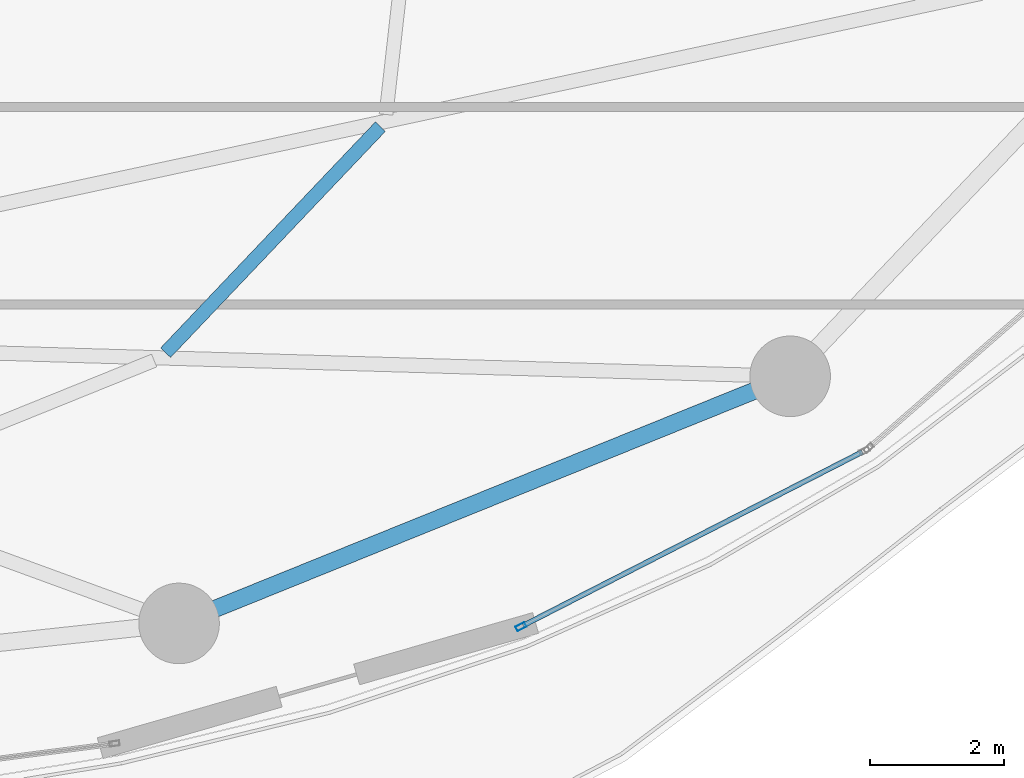
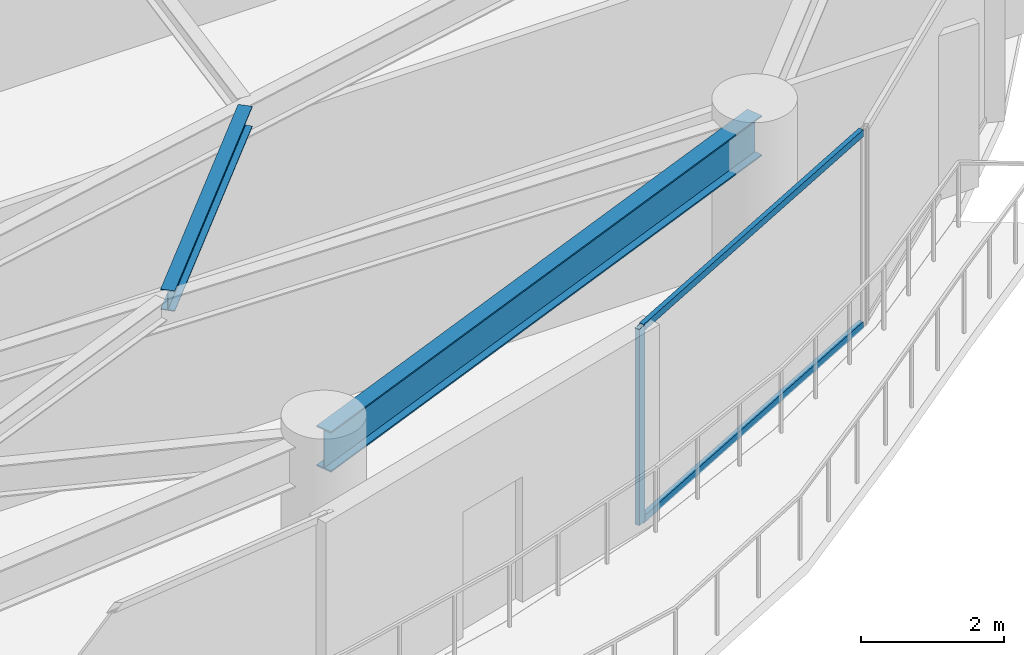
# One storey, part 11 of 28: 3 members, 2 beams, 1 element without a shape of its own.
"""IFC4 building model written with IfcOpenShell, lengths in metres."""

import ifcopenshell
import ifcopenshell.guid

model = None  # the IFC model being written
_history = None  # IfcOwnerHistory: only IFC2X3 demands one
_inside = {}  # id of a spatial element -> (the spatial element, [elements in it])
_under = {}  # id of a project, library or spatial element -> (it, [spatial elements below it])
_declared = {}  # id of a project -> (the project, [libraries it declares])
_typed = {}  # id of a type object -> (the type object, [elements of that type])
_made_of = {}  # id of a material, layer set ... -> (it, [elements and type objects made of it])


def new_model(schema):
    """Start an empty IFC model of exactly this schema.

    Asked for "IFC4X3", IfcOpenShell would pick the latest addendum, in which some entities
    have other attributes; the version numbers below select the first issue.
    IFC2X3 requires an IfcOwnerHistory on every rooted entity: one is made here for all.
    """
    global model, _history
    if schema == "IFC4X3":
        model = ifcopenshell.file(schema_version=(4, 3, 0, 0))
    else:
        model = ifcopenshell.file(schema=schema)
    _inside.clear()
    _under.clear()
    _declared.clear()
    _typed.clear()
    _made_of.clear()
    _history = None
    if model.schema == "IFC2X3":
        org = make("IfcOrganization", Name="unknown")
        user = make(
            "IfcPersonAndOrganization",
            ThePerson=make("IfcPerson", FamilyName="unknown"),
            TheOrganization=org,
        )
        app = make(
            "IfcApplication",
            ApplicationDeveloper=org,
            Version="unknown",
            ApplicationFullName="unknown",
            ApplicationIdentifier="unknown",
        )
        _history = make(
            "IfcOwnerHistory",
            OwningUser=user,
            OwningApplication=app,
            ChangeAction="ADDED",
            CreationDate=0,
        )
    return model


def make(cls, **values):
    """One entity of the class cls with the attributes given. An attribute that is None is left unset."""
    return model.create_entity(
        cls, **{name: value for name, value in values.items() if value is not None}
    )


def rooted(cls, **values):
    """An entity with a GlobalId (a new one), such as an element, a storey or a relation."""
    return make(cls, GlobalId=ifcopenshell.guid.new(), OwnerHistory=_history, **values)


def si_unit(unit_type, name, prefix=None):
    """IfcSIUnit, for example si_unit("LENGTHUNIT", "METRE", prefix="MILLI")."""
    return make("IfcSIUnit", UnitType=unit_type, Prefix=prefix, Name=name)


def assignment(units):
    """IfcUnitAssignment: the units of a project."""
    return None if units is None else make("IfcUnitAssignment", Units=units)


def point(xyz):
    """IfcCartesianPoint."""
    return None if xyz is None else make("IfcCartesianPoint", Coordinates=xyz)


def direction(xyz):
    """IfcDirection."""
    return None if xyz is None else make("IfcDirection", DirectionRatios=xyz)


def frame(location, z_axis=None, x_axis=None):
    """IfcAxis2Placement3D, a coordinate frame: its origin and axes. An axis left out is left unset."""
    return make(
        "IfcAxis2Placement3D",
        Location=point(location),
        Axis=direction(z_axis),
        RefDirection=direction(x_axis),
    )


def frame_2d(location, x_axis=None):
    """IfcAxis2Placement2D, a coordinate frame in the plane: its origin and x axis."""
    return make(
        "IfcAxis2Placement2D", Location=point(location), RefDirection=direction(x_axis)
    )


def origin():
    """The frame at (0, 0, 0) with its axes left unset."""
    return frame((0.0, 0.0, 0.0))


def origin_2d():
    """The frame at (0, 0) in the plane with its x axis left unset."""
    return frame_2d((0.0, 0.0))


def place(relative_to, where):
    """IfcLocalPlacement: puts the frame where relative to a parent placement (None: the world)."""
    return make(
        "IfcLocalPlacement", PlacementRelTo=relative_to, RelativePlacement=where
    )


def context(
    kind, dimensions, precision=None, world=None, true_north=None, identifier=None
):
    """IfcGeometricRepresentationContext, for example the 3D "Model" context."""
    return make(
        "IfcGeometricRepresentationContext",
        ContextIdentifier=identifier,
        ContextType=kind,
        CoordinateSpaceDimension=dimensions,
        Precision=precision,
        WorldCoordinateSystem=world,
        TrueNorth=true_north,
    )


def subcontext(parent, identifier, kind, view, scale=None):
    """IfcGeometricRepresentationSubContext, for example "Body" below "Model"."""
    return make(
        "IfcGeometricRepresentationSubContext",
        ContextIdentifier=identifier,
        ContextType=kind,
        ParentContext=parent,
        TargetScale=scale,
        TargetView=view,
    )


def project(units=None, contexts=None):
    """IfcProject with its units and contexts."""
    return rooted(
        "IfcProject",
        Name="project",
        RepresentationContexts=contexts,
        UnitsInContext=assignment(units),
    )


def spatial(cls, under=None, at=None, **own):
    """A site, building, storey or space (cls), placed at a placement, below another one or the project."""
    s = rooted(cls, ObjectPlacement=at, **own)
    if under is not None:
        _under.setdefault(under.id(), (under, []))[1].append(s)
    return s


def profile(cls, at=None, kind="AREA", **sizes):
    """A parametric profile (cls). Its sizes go by their IFC names, for example OverallWidth=200.0."""
    return make(cls, ProfileType=kind, Position=at, **sizes)


def hollow_rectangle(**sizes):
    """IfcRectangleHollowProfileDef."""
    return profile("IfcRectangleHollowProfileDef", **sizes)


def i_section(**sizes):
    """IfcIShapeProfileDef."""
    return profile("IfcIShapeProfileDef", **sizes)


def extrude(swept, where, along, depth):
    """IfcExtrudedAreaSolid: the profile swept, set in the frame where, extruded along a direction by depth."""
    return make(
        "IfcExtrudedAreaSolid",
        SweptArea=swept,
        Position=where,
        ExtrudedDirection=direction(along),
        Depth=depth,
    )


def shape(context_of_items, identifier, shape_type, items):
    """IfcShapeRepresentation: the items that make up one representation, for example the "Body"."""
    return make(
        "IfcShapeRepresentation",
        ContextOfItems=context_of_items,
        RepresentationIdentifier=identifier,
        RepresentationType=shape_type,
        Items=items,
    )


def material(Name=None, Category=None):
    """IfcMaterial."""
    return make("IfcMaterial", Name=Name, Category=Category)


def layer(
    of_material, thickness, ventilated=None, Name=None, Category=None, Priority=None
):
    """IfcMaterialLayer: one layer of a wall or slab, of a material (None: an air gap)."""
    return make(
        "IfcMaterialLayer",
        Material=of_material,
        LayerThickness=thickness,
        IsVentilated=ventilated,
        Name=Name,
        Category=Category,
        Priority=Priority,
    )


def layer_set(layers, Name=None):
    """IfcMaterialLayerSet."""
    return make("IfcMaterialLayerSet", MaterialLayers=layers, LayerSetName=Name)


def material_profile(
    of_material, cross_section, Name=None, Category=None, Priority=None
):
    """IfcMaterialProfile: a cross section and its material."""
    return make(
        "IfcMaterialProfile",
        Name=Name,
        Material=of_material,
        Profile=cross_section,
        Priority=Priority,
        Category=Category,
    )


def profile_set(profiles, Name=None, composite=None):
    """IfcMaterialProfileSet."""
    return make(
        "IfcMaterialProfileSet",
        Name=Name,
        MaterialProfiles=profiles,
        CompositeProfile=composite,
    )


def made_of(thing, what):
    """Note that an element or type object is made of a material, layer set ...; save() writes the relation."""
    if what is not None:
        _made_of.setdefault(what.id(), (what, []))[1].append(thing)
    return thing


def type_object(cls, material=None, **own):
    """A type object (cls), such as IfcWallType, which elements share."""
    return made_of(rooted(cls, **own), material)


def element(
    cls,
    number,
    at=None,
    inside=None,
    cuts=None,
    type_object=None,
    material=None,
    context=None,
    identifier="Body",
    shape_type=None,
    held_by="IfcProductDefinitionShape",
    body=None,
    shapes=None,
    **own,
):
    """One element of the class cls, such as IfcWall. Its Tag is "e" and its number.

    at: its placement. inside: the storey or other place that contains it. cuts: it is an
    opening in that element (IfcRelVoidsElement). A single representation is given by context,
    identifier, shape_type and body (its items); several are given by shapes. held_by: the class
    of the entity that holds the representations. save() writes the other relations.
    """
    e = rooted(cls, Tag="e%d" % number, ObjectPlacement=at, **own)
    if body is not None:
        shapes = [shape(context, identifier, shape_type, body)]
    if shapes is not None:
        e.Representation = make(held_by, Representations=shapes)
    if inside is not None:
        _inside.setdefault(inside.id(), (inside, []))[1].append(e)
    if cuts is not None:
        rooted(
            "IfcRelVoidsElement", RelatingBuildingElement=cuts, RelatedOpeningElement=e
        )
    if type_object is not None:
        _typed.setdefault(type_object.id(), (type_object, []))[1].append(e)
    return made_of(e, material)


def aggregate(whole, parts):
    """IfcRelAggregates: a whole, such as a stair, and the parts it consists of."""
    return rooted("IfcRelAggregates", RelatingObject=whole, RelatedObjects=parts)


def save(model, path):
    """Write the relations noted so far, then the file.

    IfcRelAggregates (storeys below a building ...), IfcRelContainedInSpatialStructure (elements
    in a storey), IfcRelDefinesByType, IfcRelAssociatesMaterial and IfcRelDeclares: one each for
    every whole, place, type object, material and project.
    """
    for whole, parts in _under.values():
        aggregate(whole, parts)
    for where, things in _inside.values():
        rooted(
            "IfcRelContainedInSpatialStructure",
            RelatedElements=things,
            RelatingStructure=where,
        )
    for kind, things in _typed.values():
        rooted("IfcRelDefinesByType", RelatedObjects=things, RelatingType=kind)
    for what, things in _made_of.values():
        rooted("IfcRelAssociatesMaterial", RelatedObjects=things, RelatingMaterial=what)
    for by, libraries in _declared.values():
        rooted("IfcRelDeclares", RelatingContext=by, RelatedDefinitions=libraries)
    model.write(path)


model = new_model("IFC4")

# Units and contexts
model_context = context("Model", 3, precision=1e-05, world=origin(), true_north=direction((0.0, 1.0)))
body_context = subcontext(model_context, "Body", "Model", "MODEL_VIEW")
ifc_project = project(units=[si_unit("LENGTHUNIT", "METRE"), si_unit("AREAUNIT", "SQUARE_METRE"), si_unit("VOLUMEUNIT", "CUBIC_METRE"), si_unit("PLANEANGLEUNIT", "RADIAN"), si_unit("MASSUNIT", "GRAM", prefix="KILO")], contexts=[model_context])

# Site, building, storey
site_placement = place(None, origin())
site = spatial("IfcSite", under=ifc_project, at=site_placement, CompositionType="ELEMENT")
building_placement = place(site_placement, origin())
building = spatial("IfcBuilding", under=site, at=building_placement, Name="Kazevale Care Tower and Concert Hall", CompositionType="ELEMENT")
storey_placement = place(building_placement, frame((0.0, 0.0, 102.60009765625)))
storey = spatial("IfcBuildingStorey", under=building, at=storey_placement, Name="L26", CompositionType="ELEMENT", Elevation=102.60009765625)

# Curtain wall, members
ifc_material_1 = material(Name="Aluminium 6063-T6 and Low-E Glass", Category="aluminium")
ifc_layer = layer(ifc_material_1, 0.179931640625)
ifc_layer_set = layer_set([ifc_layer], Name="Aluminium 6063-T6 and Low-E Glass")
curtain_wall_type = type_object("IfcCurtainWallType", Name="Sheltered Concave Balcony Curtain Wall CW-5", PredefinedType="NOTDEFINED", material=ifc_layer_set)
curtain_wall_placement = place(storey_placement, origin())
curtain_wall = element("IfcCurtainWall", 1, at=curtain_wall_placement, inside=storey, type_object=curtain_wall_type, Name="cw:L26:f03", PredefinedType="NOTDEFINED")
ifc_material_2 = material(Name="Aluminium 6063-T6", Category="aluminium")
ifc_material_profile_1 = material_profile(ifc_material_2, hollow_rectangle(XDim=0.074951171875, YDim=0.14990234375, WallThickness=0.00390625, at=origin_2d()), Name="ALU75x150x4")
ifc_profile_set_1 = profile_set([ifc_material_profile_1], Name="Aluminium 6063-T6")
member_type_1 = type_object("IfcMemberType", Name="CW-5 Mullion ALU75x150x4", PredefinedType="MULLION", material=ifc_profile_set_1)
member_1_placement = place(storey_placement, frame((60.822265625, 19.26220703125, 0.0), z_axis=(0.0, 0.0, 1.0), x_axis=(0.455713236575, -0.890126646051, 0.0)))
member_1 = element("IfcMember", 2, at=member_1_placement, type_object=member_type_1, Name="CW-5 mullion 2", PredefinedType="MULLION", context=body_context, shape_type="SweptSolid", body=[
    extrude(hollow_rectangle(XDim=0.074951171875, YDim=0.14990234375, WallThickness=0.00390625, at=origin_2d()), origin(), (0.0, 0.0, 1.0), 3.35986328125),
])
ifc_material_profile_2 = material_profile(ifc_material_2, hollow_rectangle(XDim=0.074951171875, YDim=0.1201171875, WallThickness=0.00390625, at=origin_2d()), Name="ALU75x120x4")
ifc_profile_set_2 = profile_set([ifc_material_profile_2], Name="Aluminium 6063-T6")
member_type_2 = type_object("IfcMemberType", Name="CW-5 Transom ALU75x120x4", PredefinedType="USERDEFINED", material=ifc_profile_set_2)
member_2_placement = place(storey_placement, frame((65.904296875, 21.86376953125, 0.037353515625), z_axis=(-0.890142600475, -0.455682072084, 0.0), x_axis=(0.455682072084, -0.890142600475, 0.0)))
member_2 = element("IfcMember", 3, at=member_2_placement, type_object=member_type_2, Name="CW-5 transom 1.1", ObjectType="TRANSOM", PredefinedType="USERDEFINED", context=body_context, shape_type="SweptSolid", body=[
    extrude(hollow_rectangle(XDim=0.074951171875, YDim=0.1201171875, WallThickness=0.00390625, at=origin_2d()), origin(), (0.0, 0.0, 1.0), 5.671630859375),
])
member_3_placement = place(storey_placement, frame((65.904296875, 21.86376953125, 3.322509765625), z_axis=(-0.890142600475, -0.455682072084, 0.0), x_axis=(0.455682072084, -0.890142600475, 0.0)))
member_3 = element("IfcMember", 4, at=member_3_placement, type_object=member_type_2, Name="CW-5 transom 1.2", ObjectType="TRANSOM", PredefinedType="USERDEFINED", context=body_context, shape_type="SweptSolid", body=[
    extrude(hollow_rectangle(XDim=0.074951171875, YDim=0.1201171875, WallThickness=0.00390625, at=origin_2d()), origin(), (0.0, 0.0, 1.0), 5.671630859375),
])
aggregate(curtain_wall, [member_1, member_2, member_3])

# Beams
ifc_material_3 = material(Name="Steel ASTM A572 Gr 50", Category="steel")
ifc_material_profile_3 = material_profile(ifc_material_3, i_section(OverallWidth=0.205078125, OverallDepth=0.35400390625, WebThickness=0.009521484375, FlangeThickness=0.016845703125, at=origin_2d()), Name="W360x79")
ifc_profile_set_3 = profile_set([ifc_material_profile_3], Name="Steel ASTM A572 Gr 50")
beam_type_1 = type_object("IfcBeamType", Name="Secondary Floor Joist W360x79", PredefinedType="JOIST", material=ifc_profile_set_3)
beam_1_placement = place(storey_placement, frame((55.529052734375, 23.341064453125, 3.182861328125), z_axis=(0.688792288395, 0.724958746032, 0.0), x_axis=(-0.724958746032, 0.688792288395, 0.0)))
element("IfcBeam", 5, at=beam_1_placement, inside=storey, type_object=beam_type_1, Name="beam:L26:joist:15", PredefinedType="JOIST", context=body_context, shape_type="SweptSolid", body=[
    extrude(i_section(OverallWidth=0.205078125, OverallDepth=0.35400390625, WebThickness=0.009521484375, FlangeThickness=0.016845703125, at=origin_2d()), origin(), (0.0, 0.0, 1.0), 4.644287109375),
])
ifc_material_profile_4 = material_profile(ifc_material_3, i_section(OverallWidth=0.256103515625, OverallDepth=0.693115234375, WebThickness=0.014404296875, FlangeThickness=0.023681640625, at=origin_2d()), Name="W690x170")
ifc_profile_set_4 = profile_set([ifc_material_profile_4], Name="Steel ASTM A572 Gr 50")
beam_type_2 = type_object("IfcBeamType", Name="Waist Ring Beam W690x170", PredefinedType="BEAM", material=ifc_profile_set_4)
beam_2_placement = place(storey_placement, frame((55.72998046875, 19.31005859375, 3.013427734375), z_axis=(0.927068687828, 0.374891515041, 0.0), x_axis=(-0.374891515041, 0.927068687828, 0.0)))
element("IfcBeam", 6, at=beam_2_placement, inside=storey, type_object=beam_type_2, Name="beam:L26:ring:14", PredefinedType="BEAM", context=body_context, shape_type="SweptSolid", body=[
    extrude(i_section(OverallWidth=0.256103515625, OverallDepth=0.693115234375, WebThickness=0.014404296875, FlangeThickness=0.023681640625, at=origin_2d()), origin(), (0.0, 0.0, 1.0), 9.81591796875),
])

save(model, "model.ifc")
